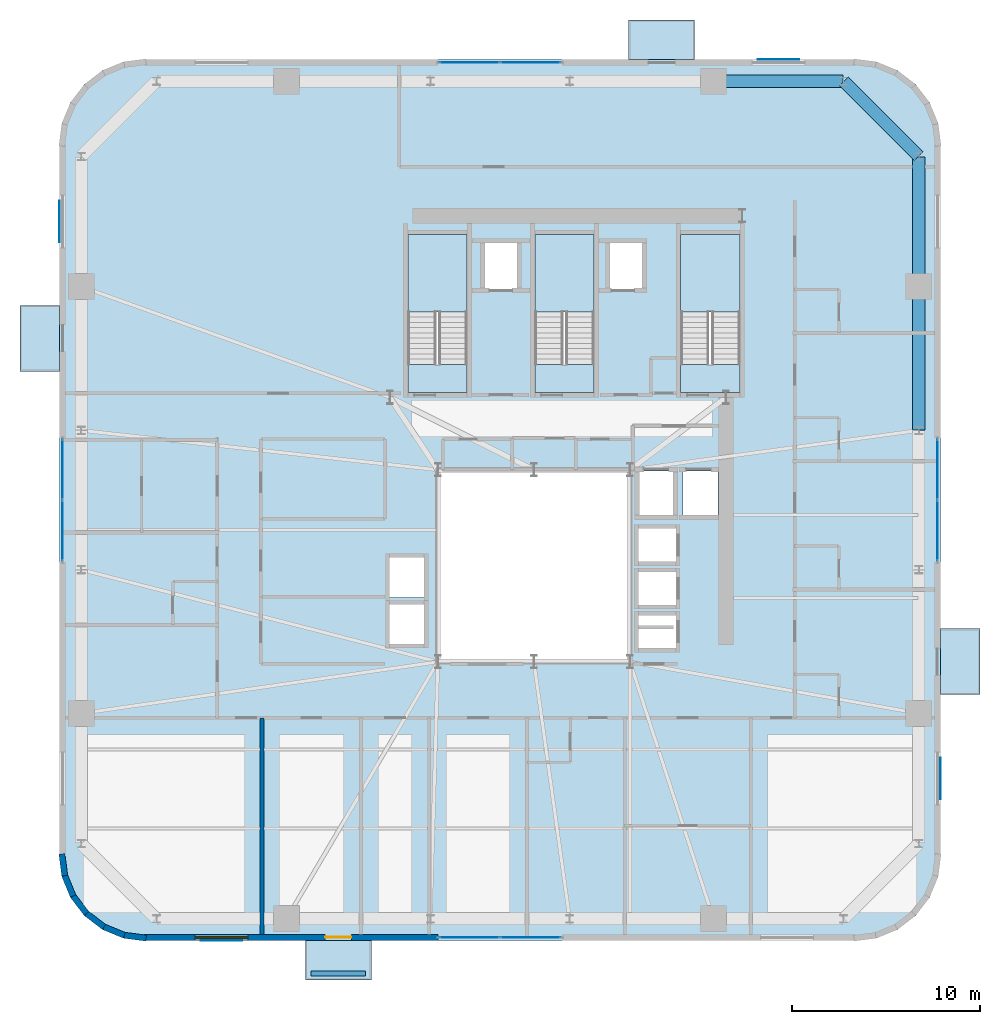
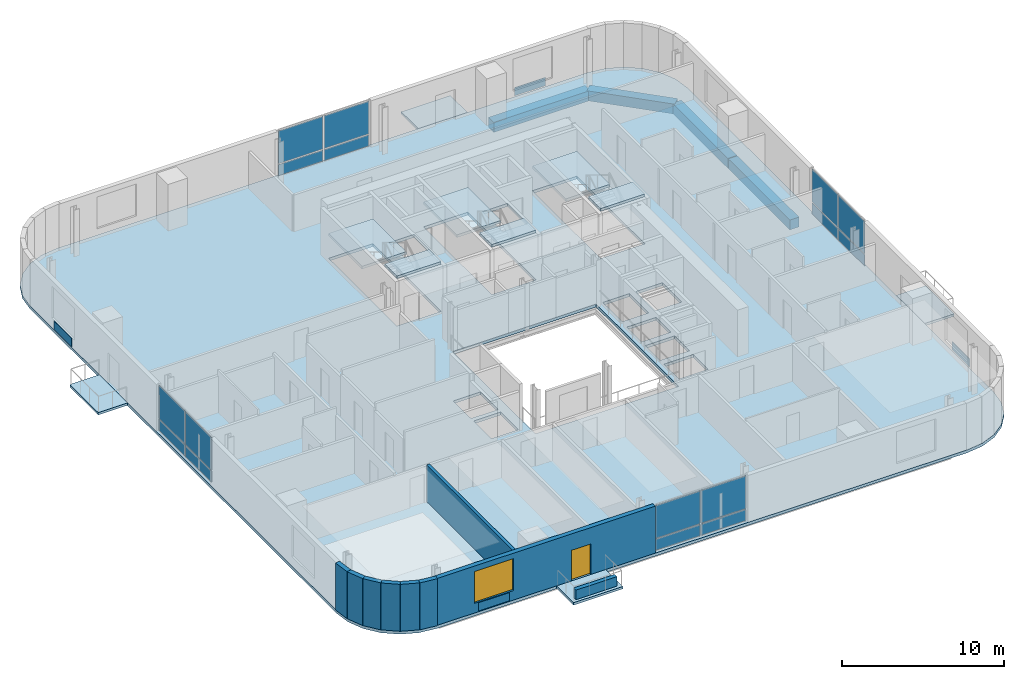
# One storey, part 6 of 13: 20 plates, 11 slabs, 9 walls, 4 beams, 1 door, 1 window, 2 openings, 7 elements without a shape of their own.
"""IFC4 building model written with IfcOpenShell, lengths in metres."""

from ifc_helpers import new_model, si_unit, direction, frame, frame_2d, origin, origin_2d, place, context, subcontext, project, spatial, polyline, rectangle, outline, extrude, source, transform, mapped, material, layer, layer_set, material_profile, profile_set, type_object, element, fill, aggregate, save


model = new_model("IFC4")

# Units and contexts
model_context = context("Model", 3, precision=1e-05, world=origin(), true_north=direction((0.0, 1.0)))
body_context = subcontext(model_context, "Body", "Model", "MODEL_VIEW")
ifc_project = project(units=[si_unit("LENGTHUNIT", "METRE"), si_unit("AREAUNIT", "SQUARE_METRE"), si_unit("VOLUMEUNIT", "CUBIC_METRE"), si_unit("PLANEANGLEUNIT", "RADIAN"), si_unit("MASSUNIT", "GRAM", prefix="KILO")], contexts=[model_context])

# Site, building, storey
site_placement = place(None, origin())
site = spatial("IfcSite", under=ifc_project, at=site_placement, CompositionType="ELEMENT")
building_placement = place(site_placement, origin())
building = spatial("IfcBuilding", under=site, at=building_placement, Name="Vardaveli Station Tower", CompositionType="ELEMENT")
storey_placement = place(building_placement, frame((0.0, 0.0, 196.050048828125)))
storey = spatial("IfcBuildingStorey", under=building, at=storey_placement, Name="L50", CompositionType="ELEMENT", Elevation=196.050048828125)

# Beams
ifc_material_1 = material(Name="Precast concrete C45/55", Category="concrete")
ifc_material_profile = material_profile(ifc_material_1, rectangle(XDim=0.64990234375, YDim=0.75, at=origin_2d()), Name="LPB 650x750")
ifc_profile_set = profile_set([ifc_material_profile], Name="Precast concrete C45/55")
beam_type = type_object("IfcBeamType", Name="BM-LPB-750", PredefinedType="BEAM", material=ifc_profile_set)
shared_shape_1 = source(origin(), body_context, "Body", "SweptSolid", [
    extrude(rectangle(XDim=0.64990234375, YDim=0.75, at=origin_2d()), origin(), (0.0, 0.0, 1.0), 7.60009765625),
])
beam_1_placement = place(storey_placement, frame((56.75, 28.919921875, -0.594970703125), z_axis=(0.0, 1.0, 0.0), x_axis=(-1.0, 0.0, 0.0)))
element("IfcBeam", 1, at=beam_1_placement, inside=storey, type_object=beam_type, Name="RBM-L50-09", PredefinedType="BEAM", context=body_context, shape_type="MappedRepresentation", body=[
    mapped(shared_shape_1, transform((0.0, 0.0, 0.0), scale=1.0)),
])
shared_shape_2 = source(origin(), body_context, "Body", "SweptSolid", [
    extrude(rectangle(XDim=0.64990234375, YDim=0.75, at=origin_2d()), origin(), (0.0, 0.0, 1.0), 6.869873046875),
])
for number, where, z_axis, x_axis, name in (
    (2, (56.75, 36.56005859375, -0.594970703125), (0.0, 1.0, 0.0), (-1.0, 0.0, 0.0), "RBM-L50-10"),
    (3, (52.72998046875, 47.449951171875, -0.594970703125), (-1.0, 0.0, 0.0), (0.0, -1.0, 0.0), "RBM-L50-12"),
):
    element("IfcBeam", number, at=place(storey_placement, frame(where, z_axis=z_axis, x_axis=x_axis)), inside=storey, type_object=beam_type, Name=name, PredefinedType="BEAM", context=body_context, shape_type="MappedRepresentation", body=[
        mapped(shared_shape_2, transform((0.0, 0.0, 0.0), scale=1.0)),
    ])
shared_shape_3 = source(origin(), body_context, "Body", "SweptSolid", [
    extrude(rectangle(XDim=0.64990234375, YDim=0.75, at=origin_2d()), origin(), (0.0, 0.0, 1.0), 5.61669921875),
])
beam_2_placement = place(storey_placement, frame((56.73583984375, 43.464111328125, -0.594970703125), z_axis=(-0.707106781187, 0.707106781187, 0.0), x_axis=(-0.707106781187, -0.707106781187, 0.0)))
element("IfcBeam", 4, at=beam_2_placement, inside=storey, type_object=beam_type, Name="RBM-L50-11", PredefinedType="BEAM", context=body_context, shape_type="MappedRepresentation", body=[
    mapped(shared_shape_3, transform((0.0, 0.0, 0.0), scale=1.0)),
])

# Stair, slabs
ifc_material_2 = material(Name="Concrete C40/50", Category="concrete")
stair_type = type_object("IfcStairType", Name="STR-CORE-1500", PredefinedType="HALF_TURN_STAIR", material=ifc_material_2)
stair_1_placement = place(storey_placement, origin())
stair_1 = element("IfcStair", 5, at=stair_1_placement, inside=storey, type_object=stair_type, Name="L50 ST-1", PredefinedType="HALF_TURN_STAIR")
ifc_layer_1 = layer(ifc_material_2, 0.199951171875, Name="Concrete C40/50")
ifc_layer_set_1 = layer_set([ifc_layer_1], Name="Concrete C40/50")
slab_type_1 = type_object("IfcSlabType", Name="SLB-LAND-200", PredefinedType="LANDING", material=ifc_layer_set_1)
slab_1_placement = place(storey_placement, frame((0.0, 0.0, 1.675048828125)))
slab_1 = element("IfcSlab", 6, at=slab_1_placement, type_object=slab_type_1, Name="ST-1 landing 1", PredefinedType="LANDING", context=body_context, shape_type="SweptSolid", body=[
    extrude(outline(polyline([(32.75, 35.199951171875), (32.75, 39.300048828125), (29.60009765625, 39.300048828125), (29.60009765625, 35.199951171875), (32.75, 35.199951171875)])), origin(), (0.0, 0.0, 1.0), 0.199951171875),
])
slab_2_placement = place(storey_placement, frame((0.0, 0.0, 3.550048828125)))
slab_2 = element("IfcSlab", 7, at=slab_2_placement, type_object=slab_type_1, Name="ST-1 landing 2", PredefinedType="LANDING", context=body_context, shape_type="SweptSolid", body=[
    extrude(outline(polyline([(32.75, 30.89990234375), (32.75, 32.39990234375), (29.60009765625, 32.39990234375), (29.60009765625, 30.89990234375), (32.75, 30.89990234375)])), origin(), (0.0, 0.0, 1.0), 0.199951171875),
])
aggregate(stair_1, [slab_1, slab_2])

stair_2_placement = place(storey_placement, origin())
stair_2 = element("IfcStair", 8, at=stair_2_placement, inside=storey, type_object=stair_type, Name="L50 ST-2", PredefinedType="HALF_TURN_STAIR")
slab_3_placement = place(storey_placement, frame((0.0, 0.0, 1.675048828125)))
slab_3 = element("IfcSlab", 9, at=slab_3_placement, type_object=slab_type_1, Name="ST-2 landing 1", PredefinedType="LANDING", context=body_context, shape_type="SweptSolid", body=[
    extrude(outline(polyline([(39.5, 35.199951171875), (39.5, 39.300048828125), (36.35009765625, 39.300048828125), (36.35009765625, 35.199951171875), (39.5, 35.199951171875)])), origin(), (0.0, 0.0, 1.0), 0.199951171875),
])
slab_4_placement = place(storey_placement, frame((0.0, 0.0, 3.550048828125)))
slab_4 = element("IfcSlab", 10, at=slab_4_placement, type_object=slab_type_1, Name="ST-2 landing 2", PredefinedType="LANDING", context=body_context, shape_type="SweptSolid", body=[
    extrude(outline(polyline([(39.5, 30.89990234375), (39.5, 32.39990234375), (36.35009765625, 32.39990234375), (36.35009765625, 30.89990234375), (39.5, 30.89990234375)])), origin(), (0.0, 0.0, 1.0), 0.199951171875),
])
aggregate(stair_2, [slab_3, slab_4])

stair_3_placement = place(storey_placement, origin())
stair_3 = element("IfcStair", 11, at=stair_3_placement, inside=storey, type_object=stair_type, Name="L50 ST-3", PredefinedType="HALF_TURN_STAIR")
slab_5_placement = place(storey_placement, frame((0.0, 0.0, 1.675048828125)))
slab_5 = element("IfcSlab", 12, at=slab_5_placement, type_object=slab_type_1, Name="ST-3 landing 1", PredefinedType="LANDING", context=body_context, shape_type="SweptSolid", body=[
    extrude(outline(polyline([(47.25, 35.199951171875), (47.25, 39.300048828125), (44.10009765625, 39.300048828125), (44.10009765625, 35.199951171875), (47.25, 35.199951171875)])), origin(), (0.0, 0.0, 1.0), 0.199951171875),
])
slab_6_placement = place(storey_placement, frame((0.0, 0.0, 3.550048828125)))
slab_6 = element("IfcSlab", 13, at=slab_6_placement, type_object=slab_type_1, Name="ST-3 landing 2", PredefinedType="LANDING", context=body_context, shape_type="SweptSolid", body=[
    extrude(outline(polyline([(47.25, 30.89990234375), (47.25, 32.39990234375), (44.10009765625, 32.39990234375), (44.10009765625, 30.89990234375), (47.25, 30.89990234375)])), origin(), (0.0, 0.0, 1.0), 0.199951171875),
])
aggregate(stair_3, [slab_5, slab_6])

# Slabs
ifc_layer_2 = layer(ifc_material_1, 0.179931640625, Name="Precast concrete C45/55")
ifc_layer_set_2 = layer_set([ifc_layer_2], Name="Precast concrete C45/55")
slab_type_2 = type_object("IfcSlabType", Name="SLB-LOGGIA-180", PredefinedType="FLOOR", material=ifc_layer_set_2)
slab_7_placement = place(storey_placement, frame((0.0, 0.0, -0.179931640625)))
element("IfcSlab", 14, at=slab_7_placement, inside=storey, type_object=slab_type_2, Name="LOG-L50-S", PredefinedType="FLOOR", context=body_context, shape_type="SweptSolid", body=[
    extrude(outline(polyline([(24.160400390625, -0.300048828125), (27.660400390625, -0.300048828125), (27.660400390625, 1.800048828125), (24.160400390625, 1.800048828125), (24.160400390625, -0.300048828125)])), origin(), (0.0, 0.0, 1.0), 0.179931640625),
])
slab_8_placement = place(storey_placement, frame((0.0, 0.0, -0.179931640625)))
element("IfcSlab", 15, at=slab_8_placement, inside=storey, type_object=slab_type_2, Name="LOG-L50-N", PredefinedType="FLOOR", context=body_context, shape_type="SweptSolid", body=[
    extrude(outline(polyline([(41.339599609375, 48.60009765625), (44.839599609375, 48.60009765625), (44.839599609375, 50.699951171875), (41.339599609375, 50.699951171875), (41.339599609375, 48.60009765625)])), origin(), (0.0, 0.0, 1.0), 0.179931640625),
])
slab_9_placement = place(storey_placement, frame((0.0, 0.0, -0.179931640625)))
element("IfcSlab", 16, at=slab_9_placement, inside=storey, type_object=slab_type_2, Name="LOG-L50-W", PredefinedType="FLOOR", context=body_context, shape_type="SweptSolid", body=[
    extrude(outline(polyline([(9.0, 32.03955078125), (11.10009765625, 32.03955078125), (11.10009765625, 35.53955078125), (9.0, 35.53955078125), (9.0, 32.03955078125)])), origin(), (0.0, 0.0, 1.0), 0.179931640625),
])
slab_10_placement = place(storey_placement, frame((0.0, 0.0, -0.179931640625)))
element("IfcSlab", 17, at=slab_10_placement, inside=storey, type_object=slab_type_2, Name="LOG-L50-E", PredefinedType="FLOOR", context=body_context, shape_type="SweptSolid", body=[
    extrude(outline(polyline([(57.89990234375, 14.8603515625), (60.0, 14.8603515625), (60.0, 18.3603515625), (57.89990234375, 18.3603515625), (57.89990234375, 14.8603515625)])), origin(), (0.0, 0.0, 1.0), 0.179931640625),
])
ifc_layer_3 = layer(ifc_material_2, 0.219970703125, Name="Concrete C40/50")
ifc_layer_set_3 = layer_set([ifc_layer_3], Name="Concrete C40/50")
slab_type_3 = type_object("IfcSlabType", Name="SLB-TOW-220", PredefinedType="FLOOR", material=ifc_layer_set_3)
slab_11_placement = place(storey_placement, frame((0.0, 0.0, -0.219970703125)))
element("IfcSlab", 18, at=slab_11_placement, inside=storey, type_object=slab_type_3, Name="SLB-L50-MAIN", PredefinedType="FLOOR", context=body_context, shape_type="SweptSolid", body=[
    extrude(outline(polyline([(11.10009765625, 6.300048828125), (11.25341796875, 5.13525390625), (11.702880859375, 4.050048828125), (12.41796875, 3.117919921875), (13.35009765625, 2.40283203125), (14.435302734375, 1.953369140625), (15.60009765625, 1.800048828125), (53.39990234375, 1.800048828125), (54.564697265625, 1.953369140625), (55.64990234375, 2.40283203125), (56.58203125, 3.117919921875), (57.297119140625, 4.050048828125), (57.74658203125, 5.13525390625), (57.89990234375, 6.300048828125), (57.89990234375, 44.10009765625), (57.74658203125, 45.2646484375), (57.297119140625, 46.35009765625), (56.58203125, 47.281982421875), (55.64990234375, 47.9970703125), (54.564697265625, 48.44677734375), (53.39990234375, 48.60009765625), (15.60009765625, 48.60009765625), (14.435302734375, 48.44677734375), (13.35009765625, 47.9970703125), (12.41796875, 47.281982421875), (11.702880859375, 46.35009765625), (11.25341796875, 45.2646484375), (11.10009765625, 44.10009765625), (11.10009765625, 6.300048828125)]), holes=[polyline([(31.199951171875, 16.60009765625), (41.39990234375, 16.60009765625), (41.39990234375, 26.800048828125), (31.199951171875, 26.800048828125), (31.199951171875, 16.60009765625)]), polyline([(32.75, 30.89990234375), (32.75, 39.300048828125), (29.60009765625, 39.300048828125), (29.60009765625, 30.89990234375), (32.75, 30.89990234375)]), polyline([(39.5, 30.89990234375), (39.5, 39.300048828125), (36.35009765625, 39.300048828125), (36.35009765625, 30.89990234375), (39.5, 30.89990234375)]), polyline([(47.25, 30.89990234375), (47.25, 39.300048828125), (44.10009765625, 39.300048828125), (44.10009765625, 30.89990234375), (47.25, 30.89990234375)]), polyline([(33.659912109375, 36.409912109375), (35.43994140625, 36.409912109375), (35.43994140625, 38.889892578125), (33.659912109375, 38.889892578125), (33.659912109375, 36.409912109375)]), polyline([(40.31005859375, 36.409912109375), (42.090087890625, 36.409912109375), (42.090087890625, 38.889892578125), (40.31005859375, 38.889892578125), (40.31005859375, 36.409912109375)]), polyline([(41.81005859375, 21.885009765625), (43.889892578125, 21.885009765625), (43.889892578125, 23.715087890625), (41.81005859375, 23.715087890625), (41.81005859375, 21.885009765625)]), polyline([(41.81005859375, 19.5849609375), (43.889892578125, 19.5849609375), (43.889892578125, 21.4150390625), (41.81005859375, 21.4150390625), (41.81005859375, 19.5849609375)]), polyline([(41.81005859375, 17.284912109375), (43.889892578125, 17.284912109375), (43.889892578125, 19.114990234375), (41.81005859375, 19.114990234375), (41.81005859375, 17.284912109375)]), polyline([(28.5849609375, 17.510009765625), (30.514892578125, 17.510009765625), (30.514892578125, 19.68994140625), (28.5849609375, 19.68994140625), (28.5849609375, 17.510009765625)]), polyline([(28.5849609375, 20.010009765625), (30.514892578125, 20.010009765625), (30.514892578125, 22.18994140625), (28.5849609375, 22.18994140625), (28.5849609375, 20.010009765625)]), polyline([(41.860107421875, 24.360107421875), (43.739990234375, 24.360107421875), (43.739990234375, 26.739990234375), (41.860107421875, 26.739990234375), (41.860107421875, 24.360107421875)]), polyline([(44.2099609375, 24.360107421875), (46.090087890625, 24.360107421875), (46.090087890625, 26.739990234375), (44.2099609375, 26.739990234375), (44.2099609375, 24.360107421875)])]), origin(), (0.0, 0.0, 1.0), 0.219970703125),
])

# Plates
ifc_material_3 = material(Name="Honed Caucasian travertine stone", Category="masonry")
ifc_layer_4 = layer(ifc_material_3, 0.034912109375, Name="Honed Caucasian travertine stone")
ifc_layer_set_4 = layer_set([ifc_layer_4], Name="Honed Caucasian travertine stone")
plate_type_1 = type_object("IfcPlateType", Name="PLT-TRAV-35", PredefinedType="SHEET", material=ifc_layer_set_4)
shared_shape_4 = source(origin(), body_context, "Body", "SweptSolid", [
    extrude(rectangle(XDim=2.199951171875, YDim=0.034912109375, at=origin_2d()), origin(), (0.0, 0.0, 1.0), 0.6201171875),
])
for number, where, z_axis, x_axis, name in (
    (19, (19.705078125, 1.79052734375, 0.06982421875), (0.0, 0.0, 1.0), (1.0, 0.0, 0.0), "PLT-TR-L50-S"),
    (20, (49.294921875, 48.609619140625, 0.06982421875), (0.0, 0.0, 1.0), (1.0, 0.0, 0.0), "PLT-TR-L50-N"),
    (21, (11.090576171875, 39.9951171875, 0.06982421875), (0.0, 0.0, 1.0), (0.0, 1.0, 0.0), "PLT-TR-L50-W"),
    (22, (57.909423828125, 10.405029296875, 0.06982421875), (0.0, 0.0, 1.0), (0.0, 1.0, 0.0), "PLT-TR-L50-E"),
):
    element("IfcPlate", number, at=place(storey_placement, frame(where, z_axis=z_axis, x_axis=x_axis)), inside=storey, type_object=plate_type_1, Name=name, PredefinedType="SHEET", context=body_context, shape_type="MappedRepresentation", body=[
        mapped(shared_shape_4, transform((0.0, 0.0, 0.0), scale=1.0)),
    ])

# Curtain wall, plates
ifc_material_4 = material(Name="Travertine stone and solar-control glass", Category="masonry")
curtain_wall_type = type_object("IfcCurtainWallType", Name="CW-SYS-5", PredefinedType="NOTDEFINED", material=ifc_material_4)
curtain_wall_1_placement = place(storey_placement, origin())
curtain_wall_1 = element("IfcCurtainWall", 23, at=curtain_wall_1_placement, inside=storey, type_object=curtain_wall_type, Name="CW-L50-S", PredefinedType="NOTDEFINED")
ifc_material_5 = material(Name="Double-glazed low-E solar-control glass", Category="glass")
ifc_layer_5 = layer(ifc_material_5, 0.031982421875, Name="Double-glazed low-E solar-control glass")
ifc_layer_set_5 = layer_set([ifc_layer_5], Name="Double-glazed low-E solar-control glass")
plate_type_2 = type_object("IfcPlateType", Name="CW-SYS-5-PAN", PredefinedType="CURTAIN_PANEL", material=ifc_layer_set_5)
shared_shape_5 = source(origin(), body_context, "Body", "SweptSolid", [
    extrude(rectangle(XDim=3.179931640625, YDim=0.031982421875, at=origin_2d()), origin(), (0.0, 0.0, 1.0), 0.830078125),
])
plate_1_placement = place(storey_placement, frame((32.8701171875, 1.9599609375, 0.079833984375), z_axis=(0.0, 0.0, 1.0), x_axis=(1.0, 0.0, 0.0)))
plate_1 = element("IfcPlate", 24, at=plate_1_placement, type_object=plate_type_2, Name="CW-5 panel 1.1", PredefinedType="CURTAIN_PANEL", context=body_context, shape_type="MappedRepresentation", body=[
    mapped(shared_shape_5, transform((0.0, 0.0, 0.0), scale=1.0)),
])
plate_2_placement = place(storey_placement, frame((36.1298828125, 1.9599609375, 0.079833984375), z_axis=(0.0, 0.0, 1.0), x_axis=(1.0, 0.0, 0.0)))
plate_2 = element("IfcPlate", 25, at=plate_2_placement, type_object=plate_type_2, Name="CW-5 panel 2.1", PredefinedType="CURTAIN_PANEL", context=body_context, shape_type="MappedRepresentation", body=[
    mapped(shared_shape_5, transform((0.0, 0.0, 0.0), scale=1.0)),
])

curtain_wall_2_placement = place(storey_placement, origin())
curtain_wall_2 = element("IfcCurtainWall", 26, at=curtain_wall_2_placement, inside=storey, type_object=curtain_wall_type, Name="CW-L50-N", PredefinedType="NOTDEFINED")
plate_3_placement = place(storey_placement, frame((36.1298828125, 48.43994140625, 0.079833984375), z_axis=(0.0, 0.0, 1.0), x_axis=(-1.0, 0.0, 0.0)))
plate_3 = element("IfcPlate", 27, at=plate_3_placement, type_object=plate_type_2, Name="CW-5 panel 1.1", PredefinedType="CURTAIN_PANEL", context=body_context, shape_type="MappedRepresentation", body=[
    mapped(shared_shape_5, transform((0.0, 0.0, 0.0), scale=1.0)),
])
plate_4_placement = place(storey_placement, frame((32.8701171875, 48.43994140625, 0.079833984375), z_axis=(0.0, 0.0, 1.0), x_axis=(-1.0, 0.0, 0.0)))
plate_4 = element("IfcPlate", 28, at=plate_4_placement, type_object=plate_type_2, Name="CW-5 panel 2.1", PredefinedType="CURTAIN_PANEL", context=body_context, shape_type="MappedRepresentation", body=[
    mapped(shared_shape_5, transform((0.0, 0.0, 0.0), scale=1.0)),
])

curtain_wall_3_placement = place(storey_placement, origin())
curtain_wall_3 = element("IfcCurtainWall", 29, at=curtain_wall_3_placement, inside=storey, type_object=curtain_wall_type, Name="CW-L50-W", PredefinedType="NOTDEFINED")
plate_5_placement = place(storey_placement, frame((11.260009765625, 26.830078125, 0.079833984375), z_axis=(0.0, 0.0, 1.0), x_axis=(0.0, -1.0, 0.0)))
plate_5 = element("IfcPlate", 30, at=plate_5_placement, type_object=plate_type_2, Name="CW-5 panel 1.1", PredefinedType="CURTAIN_PANEL", context=body_context, shape_type="MappedRepresentation", body=[
    mapped(shared_shape_5, transform((0.0, 0.0, 0.0), scale=1.0)),
])
plate_6_placement = place(storey_placement, frame((11.260009765625, 23.570068359375, 0.079833984375), z_axis=(0.0, 0.0, 1.0), x_axis=(0.0, -1.0, 0.0)))
plate_6 = element("IfcPlate", 31, at=plate_6_placement, type_object=plate_type_2, Name="CW-5 panel 2.1", PredefinedType="CURTAIN_PANEL", context=body_context, shape_type="MappedRepresentation", body=[
    mapped(shared_shape_5, transform((0.0, 0.0, 0.0), scale=1.0)),
])

curtain_wall_4_placement = place(storey_placement, origin())
curtain_wall_4 = element("IfcCurtainWall", 32, at=curtain_wall_4_placement, inside=storey, type_object=curtain_wall_type, Name="CW-L50-E", PredefinedType="NOTDEFINED")
plate_7_placement = place(storey_placement, frame((57.739990234375, 23.570068359375, 0.079833984375), z_axis=(0.0, 0.0, 1.0), x_axis=(0.0, 1.0, 0.0)))
plate_7 = element("IfcPlate", 33, at=plate_7_placement, type_object=plate_type_2, Name="CW-5 panel 1.1", PredefinedType="CURTAIN_PANEL", context=body_context, shape_type="MappedRepresentation", body=[
    mapped(shared_shape_5, transform((0.0, 0.0, 0.0), scale=1.0)),
])
plate_8_placement = place(storey_placement, frame((57.739990234375, 26.830078125, 0.079833984375), z_axis=(0.0, 0.0, 1.0), x_axis=(0.0, 1.0, 0.0)))
plate_8 = element("IfcPlate", 34, at=plate_8_placement, type_object=plate_type_2, Name="CW-5 panel 2.1", PredefinedType="CURTAIN_PANEL", context=body_context, shape_type="MappedRepresentation", body=[
    mapped(shared_shape_5, transform((0.0, 0.0, 0.0), scale=1.0)),
])

# Plate
shared_shape_6 = source(origin(), body_context, "Body", "SweptSolid", [
    extrude(rectangle(XDim=3.179931640625, YDim=0.031982421875, at=origin_2d()), origin(), (0.0, 0.0, 1.0), 2.4599609375),
])
plate_9_placement = place(storey_placement, frame((32.8701171875, 1.9599609375, 0.989990234375), z_axis=(0.0, 0.0, 1.0), x_axis=(1.0, 0.0, 0.0)))
plate_9 = element("IfcPlate", 35, at=plate_9_placement, type_object=plate_type_2, Name="CW-5 panel 1.2", PredefinedType="CURTAIN_PANEL", context=body_context, shape_type="MappedRepresentation", body=[
    mapped(shared_shape_6, transform((0.0, 0.0, 0.0), scale=1.0)),
])

plate_10_placement = place(storey_placement, frame((36.1298828125, 1.9599609375, 0.989990234375), z_axis=(0.0, 0.0, 1.0), x_axis=(1.0, 0.0, 0.0)))
plate_10 = element("IfcPlate", 36, at=plate_10_placement, type_object=plate_type_2, Name="CW-5 panel 2.2", PredefinedType="CURTAIN_PANEL", context=body_context, shape_type="MappedRepresentation", body=[
    mapped(shared_shape_6, transform((0.0, 0.0, 0.0), scale=1.0)),
])

aggregate(curtain_wall_1, [plate_1, plate_9, plate_2, plate_10])

plate_11_placement = place(storey_placement, frame((36.1298828125, 48.43994140625, 0.989990234375), z_axis=(0.0, 0.0, 1.0), x_axis=(-1.0, 0.0, 0.0)))
plate_11 = element("IfcPlate", 37, at=plate_11_placement, type_object=plate_type_2, Name="CW-5 panel 1.2", PredefinedType="CURTAIN_PANEL", context=body_context, shape_type="MappedRepresentation", body=[
    mapped(shared_shape_6, transform((0.0, 0.0, 0.0), scale=1.0)),
])

plate_12_placement = place(storey_placement, frame((32.8701171875, 48.43994140625, 0.989990234375), z_axis=(0.0, 0.0, 1.0), x_axis=(-1.0, 0.0, 0.0)))
plate_12 = element("IfcPlate", 38, at=plate_12_placement, type_object=plate_type_2, Name="CW-5 panel 2.2", PredefinedType="CURTAIN_PANEL", context=body_context, shape_type="MappedRepresentation", body=[
    mapped(shared_shape_6, transform((0.0, 0.0, 0.0), scale=1.0)),
])

aggregate(curtain_wall_2, [plate_3, plate_11, plate_4, plate_12])

plate_13_placement = place(storey_placement, frame((11.260009765625, 26.830078125, 0.989990234375), z_axis=(0.0, 0.0, 1.0), x_axis=(0.0, -1.0, 0.0)))
plate_13 = element("IfcPlate", 39, at=plate_13_placement, type_object=plate_type_2, Name="CW-5 panel 1.2", PredefinedType="CURTAIN_PANEL", context=body_context, shape_type="MappedRepresentation", body=[
    mapped(shared_shape_6, transform((0.0, 0.0, 0.0), scale=1.0)),
])

plate_14_placement = place(storey_placement, frame((11.260009765625, 23.570068359375, 0.989990234375), z_axis=(0.0, 0.0, 1.0), x_axis=(0.0, -1.0, 0.0)))
plate_14 = element("IfcPlate", 40, at=plate_14_placement, type_object=plate_type_2, Name="CW-5 panel 2.2", PredefinedType="CURTAIN_PANEL", context=body_context, shape_type="MappedRepresentation", body=[
    mapped(shared_shape_6, transform((0.0, 0.0, 0.0), scale=1.0)),
])

aggregate(curtain_wall_3, [plate_5, plate_13, plate_6, plate_14])

plate_15_placement = place(storey_placement, frame((57.739990234375, 23.570068359375, 0.989990234375), z_axis=(0.0, 0.0, 1.0), x_axis=(0.0, 1.0, 0.0)))
plate_15 = element("IfcPlate", 41, at=plate_15_placement, type_object=plate_type_2, Name="CW-5 panel 1.2", PredefinedType="CURTAIN_PANEL", context=body_context, shape_type="MappedRepresentation", body=[
    mapped(shared_shape_6, transform((0.0, 0.0, 0.0), scale=1.0)),
])

plate_16_placement = place(storey_placement, frame((57.739990234375, 26.830078125, 0.989990234375), z_axis=(0.0, 0.0, 1.0), x_axis=(0.0, 1.0, 0.0)))
plate_16 = element("IfcPlate", 42, at=plate_16_placement, type_object=plate_type_2, Name="CW-5 panel 2.2", PredefinedType="CURTAIN_PANEL", context=body_context, shape_type="MappedRepresentation", body=[
    mapped(shared_shape_6, transform((0.0, 0.0, 0.0), scale=1.0)),
])

aggregate(curtain_wall_4, [plate_7, plate_15, plate_8, plate_16])

# Wall
ifc_layer_6 = layer(ifc_material_1, 0.280029296875, Name="Precast concrete C45/55")
ifc_layer_set_6 = layer_set([ifc_layer_6], Name="Precast concrete C45/55")
wall_type_1 = type_object("IfcWallType", Name="WAL-PARAPET-280", PredefinedType="SOLIDWALL", material=ifc_layer_set_6)
shared_shape_7 = source(origin(), body_context, "Body", "SweptSolid", [
    extrude(rectangle(XDim=2.89990234375, YDim=0.280029296875, at=frame_2d((1.449951171875, 0.0))), origin(), (0.0, 0.0, 1.0), 0.719970703125),
])
wall_1_placement = place(storey_placement, frame((24.46044921875, 0.050048828125, 0.0), z_axis=(0.0, 0.0, 1.0), x_axis=(1.0, 0.0, 0.0)))
element("IfcWall", 43, at=wall_1_placement, inside=storey, type_object=wall_type_1, Name="Terrace Travertine Planter L50", PredefinedType="SOLIDWALL", context=body_context, shape_type="MappedRepresentation", body=[
    mapped(shared_shape_7, transform((0.0, 0.0, 0.0), scale=1.0)),
])

# Wall, openings, door, window
ifc_layer_7 = layer(ifc_material_1, 0.320068359375, Name="Precast concrete C45/55")
ifc_layer_set_7 = layer_set([ifc_layer_7], Name="Precast concrete C45/55")
wall_type_2 = type_object("IfcWallType", Name="WAL-EXT-STONE-320", PredefinedType="SOLIDWALL", material=ifc_layer_set_7)
shared_shape_8 = source(origin(), body_context, "Body", "SweptSolid", [
    extrude(rectangle(XDim=15.599853515625, YDim=0.320068359375, at=frame_2d((7.7998046875, 0.0))), origin(), (0.0, 0.0, 1.0), 3.530029296875),
])
wall_2_placement = place(storey_placement, frame((15.60009765625, 1.9599609375, 0.0), z_axis=(0.0, 0.0, 1.0), x_axis=(1.0, 0.0, 0.0)))
wall_2 = element("IfcWall", 44, at=wall_2_placement, inside=storey, type_object=wall_type_2, Name="EW-L50-S1", PredefinedType="SOLIDWALL", context=body_context, shape_type="MappedRepresentation", body=[
    mapped(shared_shape_8, transform((0.0, 0.0, 0.0), scale=1.0)),
])
shared_shape_9 = source(origin(), body_context, "Body", "SweptSolid", [
    extrude(rectangle(XDim=1.39990234375, YDim=2.300048828125, at=frame_2d((0.699951171875, 1.14990234375))), frame((0.0, 0.169921875, 0.0), z_axis=(0.0, -1.0, 0.0), x_axis=(1.0, 0.0, 0.0)), (0.0, 0.0, 1.0), 0.340087890625),
])
opening_1_placement = place(wall_2_placement, frame((9.6103515625, 0.0, 0.0)))
opening_1 = element("IfcOpeningElement", 45, at=opening_1_placement, cuts=wall_2, Name="Opening D-09", PredefinedType="OPENING", context=body_context, shape_type="MappedRepresentation", body=[
    mapped(shared_shape_9, transform((0.0, 0.0, 0.0), scale=1.0)),
])
shared_shape_10 = source(origin(), body_context, "Body", "SweptSolid", [
    extrude(rectangle(XDim=2.800048828125, YDim=2.39990234375, at=frame_2d((1.39990234375, 1.199951171875))), frame((0.0, 0.169921875, 0.0), z_axis=(0.0, -1.0, 0.0), x_axis=(1.0, 0.0, 0.0)), (0.0, 0.0, 1.0), 0.340087890625),
])
opening_2_placement = place(wall_2_placement, frame((2.705078125, 0.0, 0.719970703125)))
opening_2 = element("IfcOpeningElement", 46, at=opening_2_placement, cuts=wall_2, Name="Opening W-04", PredefinedType="OPENING", context=body_context, shape_type="MappedRepresentation", body=[
    mapped(shared_shape_10, transform((0.0, 0.0, 0.0), scale=1.0)),
])
ifc_material_6 = material(Name="Thermally broken aluminium glass", Category="aluminium")
door_type = type_object("IfcDoorType", Name="DR-LOG-1400x2300", OperationType="DOUBLE_DOOR_SLIDING", PredefinedType="DOOR", material=ifc_material_6)
shared_shape_11 = source(origin(), body_context, "Body", "SweptSolid", [
    extrude(rectangle(XDim=1.39990234375, YDim=2.300048828125, at=frame_2d((0.699951171875, 1.14990234375))), frame((0.0, 0.02490234375, 0.0), z_axis=(0.0, -1.0, 0.0), x_axis=(1.0, 0.0, 0.0)), (0.0, 0.0, 1.0), 0.050048828125),
])
door_placement = place(opening_1_placement, frame((1.39990234375, 0.0, 0.0), z_axis=(0.0, 0.0, 1.0), x_axis=(-1.0, 0.0, 0.0)))
door = element("IfcDoor", 47, at=door_placement, inside=storey, type_object=door_type, Name="DLG-L50-S", OperationType="DOUBLE_DOOR_SLIDING", OverallHeight=2.300048828125, OverallWidth=1.39990234375, PredefinedType="DOOR", context=body_context, shape_type="MappedRepresentation", body=[
    mapped(shared_shape_11, transform((0.0, 0.0, 0.0), scale=1.0)),
])
fill(opening_1, door)
ifc_material_7 = material(Name="Low-E solar-control glass", Category="glass")
window_type = type_object("IfcWindowType", Name="WIN-SUITE-2800x2400", PartitioningType="SINGLE_PANEL", PredefinedType="WINDOW", material=ifc_material_7)
shared_shape_12 = source(origin(), body_context, "Body", "SweptSolid", [
    extrude(rectangle(XDim=2.800048828125, YDim=2.39990234375, at=frame_2d((1.39990234375, 1.199951171875))), frame((0.0, 0.030029296875, 0.0), z_axis=(0.0, -1.0, 0.0), x_axis=(1.0, 0.0, 0.0)), (0.0, 0.0, 1.0), 0.06005859375),
])
window_placement = place(opening_2_placement, origin())
window = element("IfcWindow", 48, at=window_placement, inside=storey, type_object=window_type, Name="WN-L50-S1", OverallHeight=2.39990234375, OverallWidth=2.800048828125, PartitioningType="SINGLE_PANEL", PredefinedType="WINDOW", context=body_context, shape_type="MappedRepresentation", body=[
    mapped(shared_shape_12, transform((0.0, 0.0, 0.0), scale=1.0)),
])
fill(opening_2, window)

# Walls
shared_shape_13 = source(origin(), body_context, "Body", "SweptSolid", [
    extrude(rectangle(XDim=1.170654296875, YDim=0.320068359375, at=frame_2d((0.58544921875, 0.0))), origin(), (0.0, 0.0, 1.0), 3.530029296875),
])
wall_3_placement = place(storey_placement, frame((11.224365234375, 6.400634765625, 0.0), z_axis=(0.0, 0.0, 1.0), x_axis=(0.128269133229, -0.991739395941, 0.0)))
element("IfcWall", 49, at=wall_3_placement, inside=storey, type_object=wall_type_2, Name="EW-L50-CR1-1", PredefinedType="SOLIDWALL", context=body_context, shape_type="MappedRepresentation", body=[
    mapped(shared_shape_13, transform((0.0, 0.0, 0.0), scale=1.0)),
])
shared_shape_14 = source(origin(), body_context, "Body", "SweptSolid", [
    extrude(rectangle(XDim=1.1689453125, YDim=0.320068359375, at=frame_2d((0.58447265625, 0.0))), origin(), (0.0, 0.0, 1.0), 3.530029296875),
])
for number, where, z_axis, x_axis, name in (
    (50, (11.37451171875, 5.23974609375, 0.0), (0.0, 0.0, 1.0), (0.381127904695, -0.924522320046, 0.0), "EW-L50-CR1-2"),
    (51, (11.820068359375, 4.158935546875, 0.0), (0.0, 0.0, 1.0), (0.608387696831, -0.793639975269, 0.0), "EW-L50-CR1-3"),
):
    element("IfcWall", number, at=place(storey_placement, frame(where, z_axis=z_axis, x_axis=x_axis)), inside=storey, type_object=wall_type_2, Name=name, PredefinedType="SOLIDWALL", context=body_context, shape_type="MappedRepresentation", body=[
        mapped(shared_shape_14, transform((0.0, 0.0, 0.0), scale=1.0)),
    ])
shared_shape_15 = source(origin(), body_context, "Body", "SweptSolid", [
    extrude(rectangle(XDim=1.168701171875, YDim=0.320068359375, at=frame_2d((0.58447265625, 0.0))), origin(), (0.0, 0.0, 1.0), 3.530029296875),
])
wall_4_placement = place(storey_placement, frame((12.53125, 3.231201171875, 0.0), z_axis=(0.0, 0.0, 1.0), x_axis=(0.793663520347, -0.608356981114, 0.0)))
element("IfcWall", 52, at=wall_4_placement, inside=storey, type_object=wall_type_2, Name="EW-L50-CR1-4", PredefinedType="SOLIDWALL", context=body_context, shape_type="MappedRepresentation", body=[
    mapped(shared_shape_15, transform((0.0, 0.0, 0.0), scale=1.0)),
])
shared_shape_16 = source(origin(), body_context, "Body", "SweptSolid", [
    extrude(rectangle(XDim=1.16943359375, YDim=0.320068359375, at=frame_2d((0.584716796875, 0.0))), origin(), (0.0, 0.0, 1.0), 3.530029296875),
])
wall_5_placement = place(storey_placement, frame((13.458740234375, 2.520263671875, 0.0), z_axis=(0.0, 0.0, 1.0), x_axis=(0.924479075121, -0.381232789334, 0.0)))
element("IfcWall", 53, at=wall_5_placement, inside=storey, type_object=wall_type_2, Name="EW-L50-CR1-5", PredefinedType="SOLIDWALL", context=body_context, shape_type="MappedRepresentation", body=[
    mapped(shared_shape_16, transform((0.0, 0.0, 0.0), scale=1.0)),
])
shared_shape_17 = source(origin(), body_context, "Body", "SweptSolid", [
    extrude(rectangle(XDim=1.170166015625, YDim=0.320068359375, at=frame_2d((0.5849609375, 0.0))), origin(), (0.0, 0.0, 1.0), 3.530029296875),
])
wall_6_placement = place(storey_placement, frame((14.539794921875, 2.074462890625, 0.0), z_axis=(0.0, 0.0, 1.0), x_axis=(0.991762485493, -0.128090485085, 0.0)))
element("IfcWall", 54, at=wall_6_placement, inside=storey, type_object=wall_type_2, Name="EW-L50-CR1-6", PredefinedType="SOLIDWALL", context=body_context, shape_type="MappedRepresentation", body=[
    mapped(shared_shape_17, transform((0.0, 0.0, 0.0), scale=1.0)),
])
ifc_material_8 = material(Name="Acoustic twin-stud gypsum partition")
ifc_layer_8 = layer(ifc_material_8, 0.199951171875, Name="Acoustic twin-stud gypsum partition")
ifc_layer_set_8 = layer_set([ifc_layer_8], Name="Acoustic twin-stud gypsum partition")
wall_type_3 = type_object("IfcWallType", Name="WAL-PARTY-200", PredefinedType="PARTITIONING", material=ifc_layer_set_8)
shared_shape_18 = source(origin(), body_context, "Body", "SweptSolid", [
    extrude(rectangle(XDim=11.5078125, YDim=0.199951171875, at=frame_2d((5.75390625, 0.0))), origin(), (0.0, 0.0, 1.0), 2.77197265625),
])
wall_7_placement = place(storey_placement, frame((21.85009765625, 2.1220703125, 0.0), z_axis=(0.0, 0.0, 1.0), x_axis=(0.0, 1.0, 0.0)))
element("IfcWall", 55, at=wall_7_placement, inside=storey, type_object=wall_type_3, Name="W-L50-PS1", PredefinedType="PARTITIONING", context=body_context, shape_type="MappedRepresentation", body=[
    mapped(shared_shape_18, transform((0.0, 0.0, 0.0), scale=1.0)),
])

save(model, "model.ifc")
